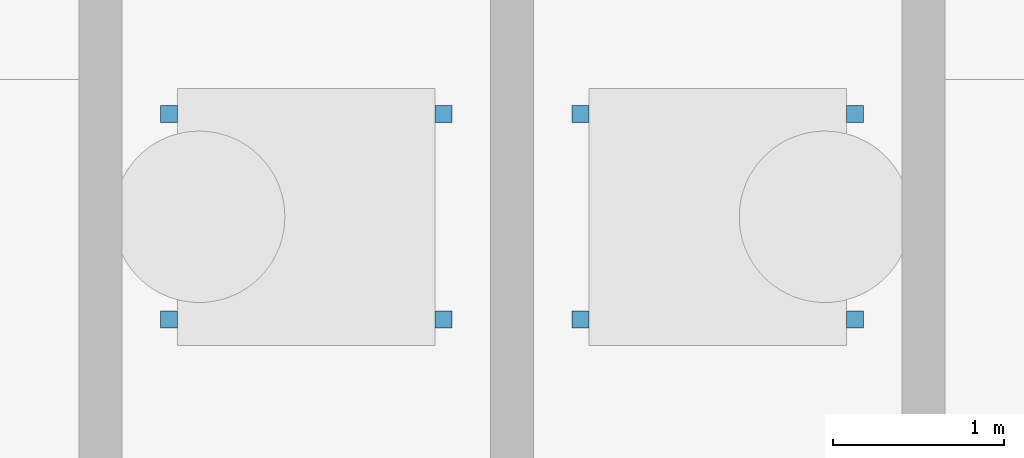
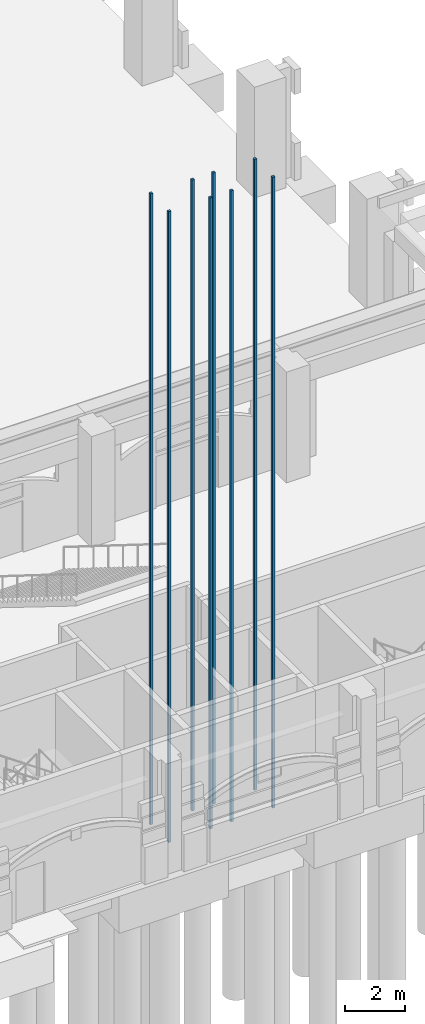
# One storey, part 51 of 99: 8 discrete accessories.
"""IFC4 building model written with IfcOpenShell, lengths in metres."""

from ifc_helpers import new_model, si_unit, direction, frame, origin, origin_2d, place, context, subcontext, project, spatial, rectangle, extrude, material, type_object, element, save


model = new_model("IFC4")

# Units and contexts
model_context = context("Model", 3, precision=1e-05, world=origin(), true_north=direction((0.0, 1.0)))
body_context = subcontext(model_context, "Body", "Model", "MODEL_VIEW")
ifc_project = project(units=[si_unit("LENGTHUNIT", "METRE"), si_unit("AREAUNIT", "SQUARE_METRE"), si_unit("VOLUMEUNIT", "CUBIC_METRE"), si_unit("PLANEANGLEUNIT", "RADIAN"), si_unit("MASSUNIT", "GRAM", prefix="KILO")], contexts=[model_context])

# Site, building, storey
site_placement = place(None, origin())
site = spatial("IfcSite", under=ifc_project, at=site_placement, CompositionType="ELEMENT")
building_placement = place(site_placement, origin())
building = spatial("IfcBuilding", under=site, at=building_placement, Name="Cour d'Honneur Mobility Palace", CompositionType="ELEMENT")
storey_placement = place(building_placement, origin())
storey = spatial("IfcBuildingStorey", under=building, at=storey_placement, Name="L00", CompositionType="ELEMENT", Elevation=0.0)

# Discrete accessories
ifc_material = material(Name="Steel S355", Category="steel")
discrete_accessory_type = type_object("IfcDiscreteAccessoryType", Name="Lift guide rail", PredefinedType="USERDEFINED", material=ifc_material)
for number, where, z_axis, x_axis, name in (
    (1, (79.14990234375, 47.60009765625, -1.39990234375), (0.0, 0.0, 1.0), (1.0, 0.0, 0.0), "Guide rail LF-CC1"),
    (2, (79.14990234375, 48.800048828125, -1.39990234375), (0.0, 0.0, 1.0), (1.0, 0.0, 0.0), "Guide rail LF-CC1"),
    (3, (80.75, 47.60009765625, -1.39990234375), (0.0, 0.0, 1.0), (1.0, 0.0, 0.0), "Guide rail LF-CC1"),
    (4, (80.75, 48.800048828125, -1.39990234375), (0.0, 0.0, 1.0), (1.0, 0.0, 0.0), "Guide rail LF-CC1"),
    (5, (81.550048828125, 47.60009765625, -1.39990234375), (0.0, 0.0, 1.0), (1.0, 0.0, 0.0), "Guide rail LF-CC2"),
    (6, (81.550048828125, 48.800048828125, -1.39990234375), (0.0, 0.0, 1.0), (1.0, 0.0, 0.0), "Guide rail LF-CC2"),
    (7, (83.14990234375, 47.60009765625, -1.39990234375), (0.0, 0.0, 1.0), (1.0, 0.0, 0.0), "Guide rail LF-CC2"),
    (8, (83.14990234375, 48.800048828125, -1.39990234375), (0.0, 0.0, 1.0), (1.0, 0.0, 0.0), "Guide rail LF-CC2"),
):
    element("IfcDiscreteAccessory", number, at=place(storey_placement, frame(where, z_axis=z_axis, x_axis=x_axis)), inside=storey, type_object=discrete_accessory_type, Name=name, ObjectType="GUIDE RAIL", PredefinedType="USERDEFINED", context=body_context, shape_type="SweptSolid", body=[
        extrude(rectangle(XDim=0.10009765625, YDim=0.10009765625, at=origin_2d()), origin(), (0.0, 0.0, 1.0), 25.64990234375),
    ])

save(model, "model.ifc")
